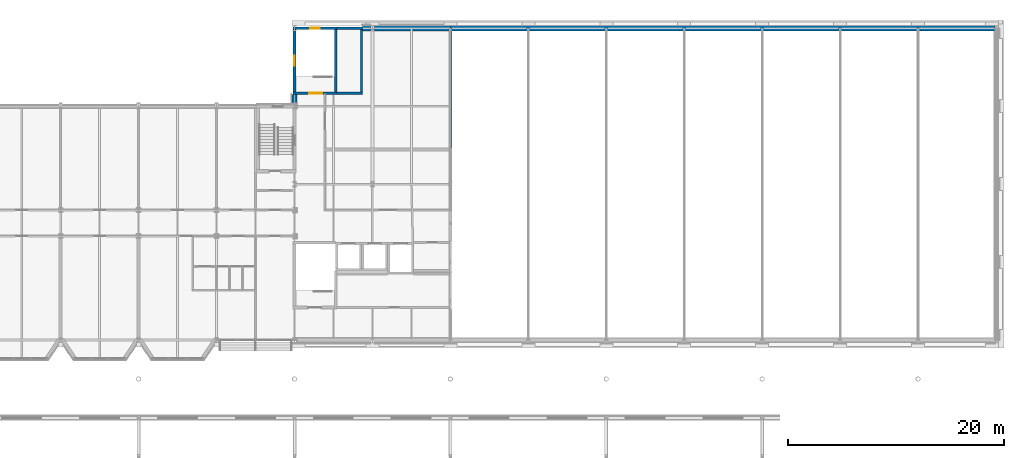
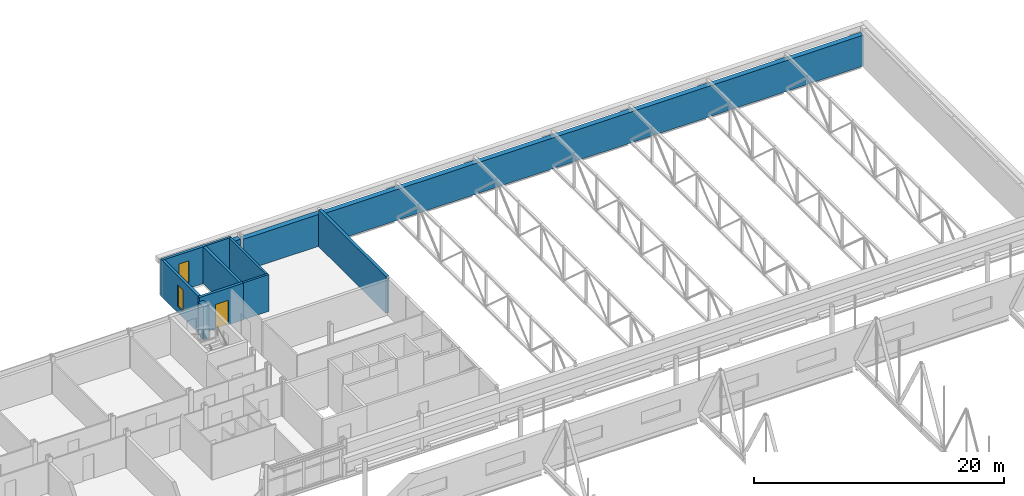
# One storey, part 104 of 142: 12 walls, 2 windows, 1 door, 3 openings.
"""IFC4 building model written with IfcOpenShell, lengths in metres."""

from ifc_helpers import new_model, si_unit, direction, frame, frame_2d, origin, place, context, subcontext, project, spatial, rectangle, extrude, material, layer, layer_set, type_object, element, fill, save


model = new_model("IFC4")

# Units and contexts
model_context = context("Model", 3, precision=1e-05, world=origin(), true_north=direction((0.0, 1.0)))
body_context = subcontext(model_context, "Body", "Model", "MODEL_VIEW")
ifc_project = project(units=[si_unit("LENGTHUNIT", "METRE"), si_unit("AREAUNIT", "SQUARE_METRE"), si_unit("VOLUMEUNIT", "CUBIC_METRE"), si_unit("PLANEANGLEUNIT", "RADIAN"), si_unit("MASSUNIT", "GRAM", prefix="KILO")], contexts=[model_context])

# Site, building, storey
site_placement = place(None, origin())
site = spatial("IfcSite", under=ifc_project, at=site_placement, CompositionType="ELEMENT")
building_placement = place(site_placement, origin())
building = spatial("IfcBuilding", under=site, at=building_placement, Name="Kupolbacken Congress Centre", CompositionType="ELEMENT")
storey_placement = place(building_placement, frame((0.0, 0.0, 14.39990234375)))
storey = spatial("IfcBuildingStorey", under=building, at=storey_placement, Name="L04", CompositionType="ELEMENT", Elevation=14.39990234375)

# Walls
ifc_material_1 = material(Name="Limestone", Category="masonry")
ifc_layer_1 = layer(ifc_material_1, 0.14990234375)
ifc_material_2 = material(Name="Air cavity", Category="air")
ifc_layer_2 = layer(ifc_material_2, 0.0400390625, ventilated=True)
ifc_material_3 = material(Name="Mineral wool", Category="insulation")
ifc_layer_3 = layer(ifc_material_3, 0.169921875)
ifc_material_4 = material(Name="Concrete block", Category="masonry")
ifc_layer_4 = layer(ifc_material_4, 0.1201171875)
ifc_layer_set_1 = layer_set([ifc_layer_1, ifc_layer_2, ifc_layer_3, ifc_layer_4], Name="Limestone / Mineral wool / Concrete block")
wall_type_1 = type_object("IfcWallType", Name="EW07 external cavity wall 480", PredefinedType="SOLIDWALL", material=ifc_layer_set_1)
wall_1_placement = place(storey_placement, frame((151.199951171875, 151.199951171875, 0.0), z_axis=(0.0, 0.0, 1.0), x_axis=(-1.0, 0.0, 0.0)))
element("IfcWall", 1, at=wall_1_placement, inside=storey, type_object=wall_type_1, Name="E/BF/N/L04/400", PredefinedType="SOLIDWALL", context=body_context, shape_type="SweptSolid", body=[
    extrude(rectangle(XDim=7.050048828125, YDim=0.47998046875, at=frame_2d((3.52490234375, 0.0))), origin(), (0.0, 0.0, 1.0), 3.1201171875),
])
wall_2_placement = place(storey_placement, frame((143.85009765625, 151.199951171875, 0.0), z_axis=(0.0, 0.0, 1.0), x_axis=(-1.0, 0.0, 0.0)))
element("IfcWall", 2, at=wall_2_placement, inside=storey, type_object=wall_type_1, Name="E/BF/N/L04/401", PredefinedType="SOLIDWALL", context=body_context, shape_type="SweptSolid", body=[
    extrude(rectangle(XDim=0.75, YDim=0.47998046875, at=frame_2d((0.375, 0.0))), origin(), (0.0, 0.0, 1.0), 3.22021484375),
])
wall_3_placement = place(storey_placement, frame((136.800048828125, 145.074951171875, 0.0), z_axis=(0.0, 0.0, 1.0), x_axis=(0.0, -1.0, 0.0)))
element("IfcWall", 3, at=wall_3_placement, inside=storey, type_object=wall_type_1, Name="E/BF/W/L04/407", PredefinedType="SOLIDWALL", context=body_context, shape_type="SweptSolid", body=[
    extrude(rectangle(XDim=0.849853515625, YDim=0.47998046875, at=frame_2d((0.4248046875, 0.0))), origin(), (0.0, 0.0, 1.0), 3.22021484375),
])
wall_4_placement = place(storey_placement, frame((201.489990234375, 151.199951171875, 0.0), z_axis=(0.0, 0.0, 1.0), x_axis=(-1.0, 0.0, 0.0)))
element("IfcWall", 4, at=wall_4_placement, inside=storey, type_object=wall_type_1, Name="E/B/N/L04/398.h1", PredefinedType="SOLIDWALL", context=body_context, shape_type="SweptSolid", body=[
    extrude(rectangle(XDim=50.2900390625, YDim=0.47998046875, at=frame_2d((25.14501953125, 0.0))), origin(), (0.0, 0.0, 1.0), 3.009033203125),
])
ifc_material_5 = material(Name="Gypsum board", Category="drywall")
ifc_layer_5 = layer(ifc_material_5, 0.27490234375)
ifc_layer_set_2 = layer_set([ifc_layer_5], Name="Gypsum board")
wall_type_2 = type_object("IfcWallType", Name="P12 partition 275", PredefinedType="PARTITIONING", material=ifc_layer_set_2)
wall_5_placement = place(storey_placement, frame((151.199951171875, 150.9599609375, 0.0), z_axis=(0.0, 0.0, 1.0), x_axis=(0.0, -1.0, 0.0)))
element("IfcWall", 5, at=wall_5_placement, inside=storey, type_object=wall_type_2, Name="PD/L04/W106", PredefinedType="PARTITIONING", context=body_context, shape_type="SweptSolid", body=[
    extrude(rectangle(XDim=10.822509765625, YDim=0.27490234375, at=frame_2d((5.4111328125, 0.0))), origin(), (0.0, 0.0, 1.0), 3.60009765625),
])
ifc_material_6 = material(Name="Concrete C40/50", Category="concrete")
ifc_layer_6 = layer(ifc_material_6, 0.199951171875)
ifc_layer_set_3 = layer_set([ifc_layer_6], Name="Concrete C40/50")
wall_type_3 = type_object("IfcWallType", Name="WC1 RC shaft wall 200", PredefinedType="SHEAR", material=ifc_layer_set_3)
wall_6_placement = place(storey_placement, frame((140.72509765625, 145.199951171875, 0.0), z_axis=(0.0, 0.0, 1.0), x_axis=(1.0, 0.0, 0.0)))
element("IfcWall", 6, at=wall_6_placement, inside=storey, type_object=wall_type_3, Name="Shaft wall L04-133", PredefinedType="SHEAR", context=body_context, shape_type="SweptSolid", body=[
    extrude(rectangle(XDim=2.375, YDim=0.199951171875, at=frame_2d((1.1875, 0.0))), origin(), (0.0, 0.0, 1.0), 3.60009765625),
])
wall_7_placement = place(storey_placement, frame((143.0, 145.10009765625, 0.0), z_axis=(0.0, 0.0, 1.0), x_axis=(0.0, 1.0, 0.0)))
element("IfcWall", 7, at=wall_7_placement, inside=storey, type_object=wall_type_3, Name="Shaft wall L04-135", PredefinedType="SHEAR", context=body_context, shape_type="SweptSolid", body=[
    extrude(rectangle(XDim=6.199951171875, YDim=0.199951171875, at=frame_2d((3.10009765625, 0.0))), origin(), (0.0, 0.0, 1.0), 3.60009765625),
])
wall_8_placement = place(storey_placement, frame((143.10009765625, 151.199951171875, 0.0), z_axis=(0.0, 0.0, 1.0), x_axis=(-1.0, 0.0, 0.0)))
element("IfcWall", 8, at=wall_8_placement, inside=storey, type_object=wall_type_3, Name="Shaft wall L04-138", PredefinedType="SHEAR", context=body_context, shape_type="SweptSolid", body=[
    extrude(rectangle(XDim=2.375, YDim=0.199951171875, at=frame_2d((1.1875, 0.0))), origin(), (0.0, 0.0, 1.0), 3.60009765625),
])

# Wall, opening, door
ifc_material_7 = material(Name="Concrete C40/50", Category="concrete")
ifc_layer_7 = layer(ifc_material_7, 0.25)
ifc_layer_set_4 = layer_set([ifc_layer_7], Name="Concrete C40/50")
wall_type_4 = type_object("IfcWallType", Name="WC2 RC stair enclosure wall 250", PredefinedType="SHEAR", material=ifc_layer_set_4)
wall_9_placement = place(storey_placement, frame((136.675048828125, 145.199951171875, 0.0), z_axis=(0.0, 0.0, 1.0), x_axis=(1.0, 0.0, 0.0)))
wall_9 = element("IfcWall", 9, at=wall_9_placement, inside=storey, type_object=wall_type_4, Name="Stair enclosure wall L04-132", PredefinedType="SHEAR", context=body_context, shape_type="SweptSolid", body=[
    extrude(rectangle(XDim=4.050048828125, YDim=0.25, at=frame_2d((2.02490234375, 0.0))), origin(), (0.0, 0.0, 1.0), 3.60009765625),
])
opening_1_placement = place(wall_9_placement, frame((1.47509765625, 0.0, 0.0)))
opening_1 = element("IfcOpeningElement", 10, at=opening_1_placement, cuts=wall_9, Name="Opening 4.G04", PredefinedType="OPENING", context=body_context, shape_type="SweptSolid", body=[
    extrude(rectangle(XDim=1.199951171875, YDim=2.39990234375, at=frame_2d((0.60009765625, 1.199951171875))), frame((0.0, 0.135009765625, 0.0), z_axis=(0.0, -1.0, 0.0), x_axis=(1.0, 0.0, 0.0)), (0.0, 0.0, 1.0), 0.27001953125),
])
ifc_material_8 = material(Name="Steel fire door leaf", Category="steel")
door_type = type_object("IfcDoorType", Name="D9 fire door 1200x2400", OperationType="SINGLE_SWING_LEFT", PredefinedType="DOOR", material=ifc_material_8)
door_placement = place(opening_1_placement, origin())
door = element("IfcDoor", 11, at=door_placement, inside=storey, type_object=door_type, Name="S/core/L04/132/D4G04", OperationType="SINGLE_SWING_LEFT", OverallHeight=2.39990234375, OverallWidth=1.199951171875, PredefinedType="DOOR", context=body_context, shape_type="SweptSolid", body=[
    extrude(rectangle(XDim=1.199951171875, YDim=2.39990234375, at=frame_2d((0.60009765625, 1.199951171875))), frame((0.0, 0.02490234375, 0.0), z_axis=(0.0, -1.0, 0.0), x_axis=(1.0, 0.0, 0.0)), (0.0, 0.0, 1.0), 0.050048828125),
])
fill(opening_1, door)

# Wall
wall_10_placement = place(storey_placement, frame((140.60009765625, 145.074951171875, 0.0), z_axis=(0.0, 0.0, 1.0), x_axis=(0.0, 1.0, 0.0)))
element("IfcWall", 12, at=wall_10_placement, inside=storey, type_object=wall_type_4, Name="Stair enclosure wall L04-134", PredefinedType="SHEAR", context=body_context, shape_type="SweptSolid", body=[
    extrude(rectangle(XDim=6.25, YDim=0.25, at=frame_2d((3.125, 0.0))), origin(), (0.0, 0.0, 1.0), 3.60009765625),
])

# Wall, opening, window
wall_11_placement = place(storey_placement, frame((136.800048828125, 151.324951171875, 0.0), z_axis=(0.0, 0.0, 1.0), x_axis=(0.0, -1.0, 0.0)))
wall_11 = element("IfcWall", 13, at=wall_11_placement, inside=storey, type_object=wall_type_4, Name="Stair enclosure wall L04-136", PredefinedType="SHEAR", context=body_context, shape_type="SweptSolid", body=[
    extrude(rectangle(XDim=6.25, YDim=0.25, at=frame_2d((3.125, 0.0))), origin(), (0.0, 0.0, 1.0), 3.60009765625),
])
opening_2_placement = place(wall_11_placement, frame((2.675048828125, 0.0, 0.60009765625)))
opening_2 = element("IfcOpeningElement", 14, at=opening_2_placement, cuts=wall_11, Name="Opening W28", PredefinedType="OPENING", context=body_context, shape_type="SweptSolid", body=[
    extrude(rectangle(XDim=0.89990234375, YDim=2.10009765625, at=frame_2d((0.449951171875, 1.050048828125))), frame((0.0, 0.135009765625, 0.0), z_axis=(0.0, -1.0, 0.0), x_axis=(1.0, 0.0, 0.0)), (0.0, 0.0, 1.0), 0.27001953125),
])
ifc_material_9 = material(Name="Aluminium frame with double or triple glazing", Category="aluminium")
window_type = type_object("IfcWindowType", Name="W28 window 900x2100", PartitioningType="SINGLE_PANEL", PredefinedType="WINDOW", material=ifc_material_9)
window_1_placement = place(opening_2_placement, origin())
window_1 = element("IfcWindow", 15, at=window_1_placement, inside=storey, type_object=window_type, Name="S/core/L04/136/W1/L04", OverallHeight=2.10009765625, OverallWidth=0.89990234375, PartitioningType="SINGLE_PANEL", PredefinedType="WINDOW", context=body_context, shape_type="SweptSolid", body=[
    extrude(rectangle(XDim=0.89990234375, YDim=2.10009765625, at=frame_2d((0.449951171875, 1.050048828125))), frame((0.0, 0.030029296875, 0.0), z_axis=(0.0, -1.0, 0.0), x_axis=(1.0, 0.0, 0.0)), (0.0, 0.0, 1.0), 0.06005859375),
])
fill(opening_2, window_1)

wall_12_placement = place(storey_placement, frame((140.72509765625, 151.199951171875, 0.0), z_axis=(0.0, 0.0, 1.0), x_axis=(-1.0, 0.0, 0.0)))
wall_12 = element("IfcWall", 16, at=wall_12_placement, inside=storey, type_object=wall_type_4, Name="Stair enclosure wall L04-137", PredefinedType="SHEAR", context=body_context, shape_type="SweptSolid", body=[
    extrude(rectangle(XDim=4.050048828125, YDim=0.25, at=frame_2d((2.02490234375, 0.0))), origin(), (0.0, 0.0, 1.0), 3.60009765625),
])
opening_3_placement = place(wall_12_placement, frame((1.574951171875, 0.0, 0.60009765625)))
opening_3 = element("IfcOpeningElement", 17, at=opening_3_placement, cuts=wall_12, Name="Opening W28", PredefinedType="OPENING", context=body_context, shape_type="SweptSolid", body=[
    extrude(rectangle(XDim=0.89990234375, YDim=2.10009765625, at=frame_2d((0.449951171875, 1.050048828125))), frame((0.0, 0.135009765625, 0.0), z_axis=(0.0, -1.0, 0.0), x_axis=(1.0, 0.0, 0.0)), (0.0, 0.0, 1.0), 0.27001953125),
])
window_2_placement = place(opening_3_placement, origin())
window_2 = element("IfcWindow", 18, at=window_2_placement, inside=storey, type_object=window_type, Name="S/core/L04/137/W1/L04", OverallHeight=2.10009765625, OverallWidth=0.89990234375, PartitioningType="SINGLE_PANEL", PredefinedType="WINDOW", context=body_context, shape_type="SweptSolid", body=[
    extrude(rectangle(XDim=0.89990234375, YDim=2.10009765625, at=frame_2d((0.449951171875, 1.050048828125))), frame((0.0, 0.030029296875, 0.0), z_axis=(0.0, -1.0, 0.0), x_axis=(1.0, 0.0, 0.0)), (0.0, 0.0, 1.0), 0.06005859375),
])
fill(opening_3, window_2)

save(model, "model.ifc")
